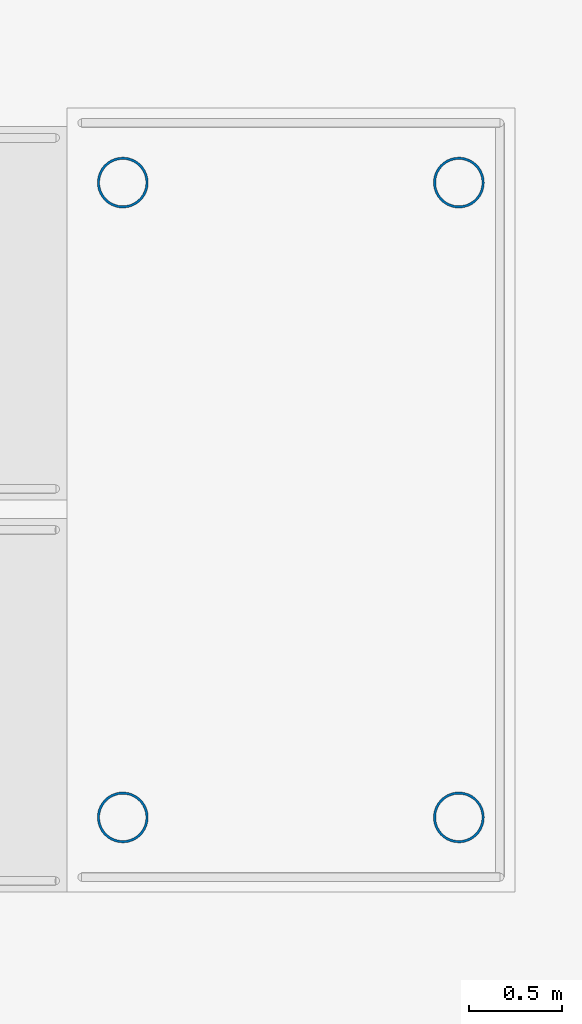
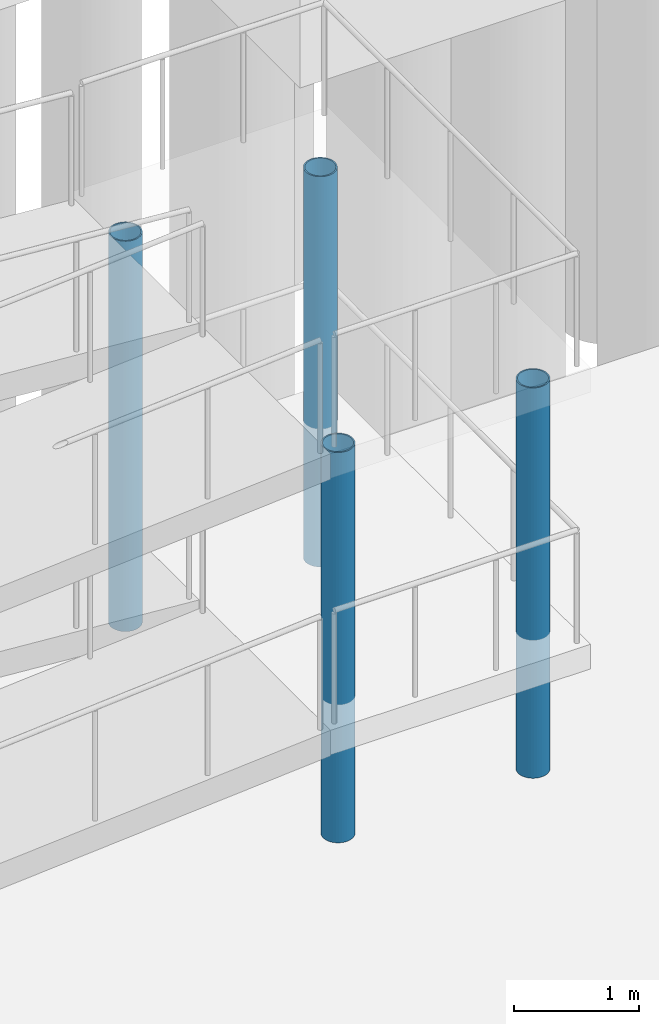
# One storey, part 15 of 41: 4 columns.
"""IFC4 building model written with IfcOpenShell, lengths in metres."""

from ifc_helpers import new_model, si_unit, direction, frame, origin, origin_2d, place, context, subcontext, project, spatial, hollow_circle, extrude, material, material_profile, profile_set, type_object, element, save


model = new_model("IFC4")

# Units and contexts
model_context = context("Model", 3, precision=1e-05, world=origin(), true_north=direction((0.0, 1.0)))
body_context = subcontext(model_context, "Body", "Model", "MODEL_VIEW")
ifc_project = project(units=[si_unit("LENGTHUNIT", "METRE"), si_unit("AREAUNIT", "SQUARE_METRE"), si_unit("VOLUMEUNIT", "CUBIC_METRE"), si_unit("PLANEANGLEUNIT", "RADIAN"), si_unit("MASSUNIT", "GRAM", prefix="KILO")], contexts=[model_context])

# Site, building, storey
site_placement = place(None, origin())
site = spatial("IfcSite", under=ifc_project, at=site_placement, CompositionType="ELEMENT")
building_placement = place(site_placement, origin())
building = spatial("IfcBuilding", under=site, at=building_placement, Name="Shalvenor Court Art Gallery", CompositionType="ELEMENT")
storey_placement = place(building_placement, frame((0.0, 0.0, -5.39990234375)))
storey = spatial("IfcBuildingStorey", under=building, at=storey_placement, Name="B01", CompositionType="ELEMENT", Elevation=-5.39990234375)

# Columns
ifc_material = material(Name="Steel S355", Category="steel")
ifc_material_profile = material_profile(ifc_material, hollow_circle(Radius=0.136474609375, WallThickness=0.012451171875, at=origin_2d()), Name="CHS 273.0x12.5")
ifc_profile_set = profile_set([ifc_material_profile], Name="Steel S355")
column_type = type_object("IfcColumnType", Name="C-11", PredefinedType="COLUMN", material=ifc_profile_set)
for number, where, z_axis, x_axis, name in (
    (1, (68.300048828125, 84.199951171875, 0.0), (0.0, 0.0, 1.0), (1.0, 0.0, 0.0), "B01 Terrace Stair Support Column COL-TST-B01-C-11-0783"),
    (2, (68.300048828125, 87.60009765625, 0.0), (0.0, 0.0, 1.0), (1.0, 0.0, 0.0), "B01 Terrace Stair Support Column COL-TST-B01-C-11-0784"),
    (3, (70.10009765625, 84.199951171875, 0.0), (0.0, 0.0, 1.0), (1.0, 0.0, 0.0), "B01 Terrace Stair Support Column COL-TST-B01-C-11-0785"),
    (4, (70.10009765625, 87.60009765625, 0.0), (0.0, 0.0, 1.0), (1.0, 0.0, 0.0), "B01 Terrace Stair Support Column COL-TST-B01-C-11-0786"),
):
    element("IfcColumn", number, at=place(storey_placement, frame(where, z_axis=z_axis, x_axis=x_axis)), inside=storey, type_object=column_type, Name=name, PredefinedType="COLUMN", context=body_context, shape_type="SweptSolid", body=[
        extrude(hollow_circle(Radius=0.136474609375, WallThickness=0.012451171875, at=origin_2d()), origin(), (0.0, 0.0, 1.0), 3.809814453125),
    ])

save(model, "model.ifc")
